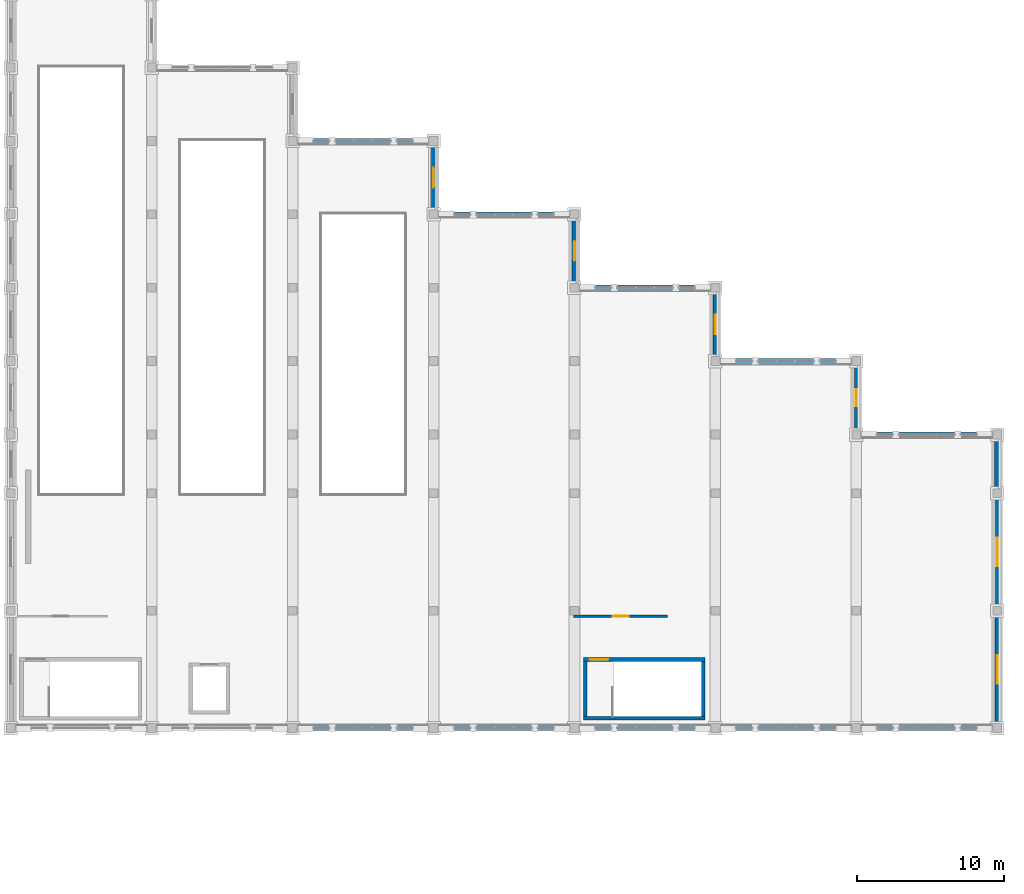
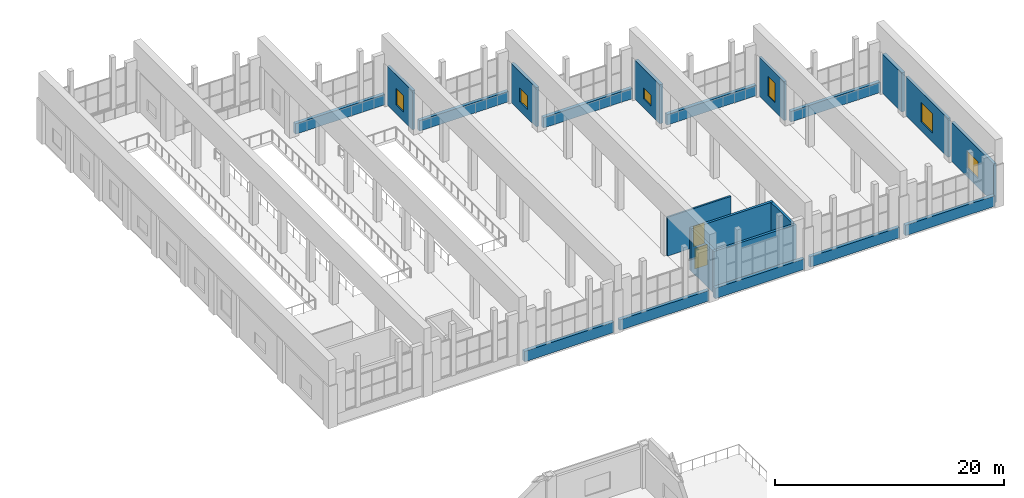
# One storey, part 34 of 46: 22 walls, 6 windows, 2 doors, 8 openings.
"""IFC4 building model written with IfcOpenShell, lengths in metres."""

from ifc_helpers import new_model, si_unit, direction, frame, frame_2d, origin, place, context, subcontext, project, spatial, rectangle, extrude, material, layer, layer_set, type_object, element, fill, save


model = new_model("IFC4")

# Units and contexts
model_context = context("Model", 3, precision=1e-05, world=origin(), true_north=direction((0.0, 1.0)))
body_context = subcontext(model_context, "Body", "Model", "MODEL_VIEW")
ifc_project = project(units=[si_unit("LENGTHUNIT", "METRE"), si_unit("AREAUNIT", "SQUARE_METRE"), si_unit("VOLUMEUNIT", "CUBIC_METRE"), si_unit("PLANEANGLEUNIT", "RADIAN"), si_unit("MASSUNIT", "GRAM", prefix="KILO")], contexts=[model_context])

# Site, building, storey
site_placement = place(None, origin())
site = spatial("IfcSite", under=ifc_project, at=site_placement, CompositionType="ELEMENT")
building_placement = place(site_placement, origin())
building = spatial("IfcBuilding", under=site, at=building_placement, Name="Mavantir Sound Aquarium", CompositionType="ELEMENT")
storey_placement = place(building_placement, frame((0.0, 0.0, 15.300048828125)))
storey = spatial("IfcBuildingStorey", under=building, at=storey_placement, Name="L03", CompositionType="ELEMENT", Elevation=15.300048828125)

# Wall, opening, window
ifc_material_1 = material(Name="Coral-Buff Architectural Precast Concrete C40/50", Category="concrete")
ifc_layer_1 = layer(ifc_material_1, 0.31005859375, Name="Coral-Buff Architectural Precast Concrete C40/50")
ifc_layer_set_1 = layer_set([ifc_layer_1], Name="Coral-Buff Architectural Precast Concrete C40/50")
wall_type_1 = type_object("IfcWallType", Name="EW-CORAL-310", PredefinedType="SOLIDWALL", material=ifc_layer_set_1)
wall_1_placement = place(storey_placement, frame((146.39990234375, 71.10791015625, 0.0), z_axis=(0.0, 0.0, 1.0), x_axis=(0.0, 1.0, 0.0)))
wall_1 = element("IfcWall", 1, at=wall_1_placement, inside=storey, type_object=wall_type_1, Name="L03 exterior facade wall EW-02 350", PredefinedType="SOLIDWALL", context=body_context, shape_type="SweptSolid", body=[
    extrude(rectangle(XDim=4.384033203125, YDim=0.31005859375, at=frame_2d((2.19189453125, 0.0))), origin(), (0.0, 0.0, 1.0), 4.159912109375),
])
opening_1_placement = place(wall_1_placement, frame((1.51708984375, 0.0, 0.949951171875)))
opening_1 = element("IfcOpeningElement", 2, at=opening_1_placement, cuts=wall_1, Name="Opening W-10", PredefinedType="OPENING", context=body_context, shape_type="SweptSolid", body=[
    extrude(rectangle(XDim=1.35009765625, YDim=1.5, at=frame_2d((0.675048828125, 0.75))), frame((0.0, 0.1650390625, 0.0), z_axis=(0.0, -1.0, 0.0), x_axis=(1.0, 0.0, 0.0)), (0.0, 0.0, 1.0), 0.330078125),
])
ifc_material_2 = material(Name="Thermally Broken Aluminium and Low-E Glass", Category="aluminium")
window_type_1 = type_object("IfcWindowType", Name="WIN-EXT-10", PartitioningType="SINGLE_PANEL", PredefinedType="WINDOW", material=ifc_material_2)
window_1_placement = place(opening_1_placement, origin())
window_1 = element("IfcWindow", 3, at=window_1_placement, inside=storey, type_object=window_type_1, Name="L03 facade window W-10 154", OverallHeight=1.5, OverallWidth=1.35009765625, PartitioningType="SINGLE_PANEL", PredefinedType="WINDOW", context=body_context, shape_type="SweptSolid", body=[
    extrude(rectangle(XDim=1.35009765625, YDim=1.5, at=frame_2d((0.675048828125, 0.75))), frame((0.0, 0.030029296875, 0.0), z_axis=(0.0, -1.0, 0.0), x_axis=(1.0, 0.0, 0.0)), (0.0, 0.0, 1.0), 0.06005859375),
])
fill(opening_1, window_1)

ifc_layer_2 = layer(ifc_material_1, 0.340087890625, Name="Coral-Buff Architectural Precast Concrete C40/50")
ifc_layer_set_2 = layer_set([ifc_layer_2], Name="Coral-Buff Architectural Precast Concrete C40/50")
wall_type_2 = type_object("IfcWallType", Name="EW-CORAL-340", PredefinedType="SOLIDWALL", material=ifc_layer_set_2)
wall_2_placement = place(storey_placement, frame((156.0, 66.10791015625, 0.0), z_axis=(0.0, 0.0, 1.0), x_axis=(0.0, 1.0, 0.0)))
wall_2 = element("IfcWall", 4, at=wall_2_placement, inside=storey, type_object=wall_type_2, Name="L03 exterior facade wall EW-01 349", PredefinedType="SOLIDWALL", context=body_context, shape_type="SweptSolid", body=[
    extrude(rectangle(XDim=4.384033203125, YDim=0.340087890625, at=frame_2d((2.19189453125, 0.0))), origin(), (0.0, 0.0, 1.0), 4.159912109375),
])
opening_2_placement = place(wall_2_placement, frame((1.51708984375, 0.0, 0.949951171875)))
opening_2 = element("IfcOpeningElement", 5, at=opening_2_placement, cuts=wall_2, Name="Opening W-09", PredefinedType="OPENING", context=body_context, shape_type="SweptSolid", body=[
    extrude(rectangle(XDim=1.35009765625, YDim=1.199951171875, at=frame_2d((0.675048828125, 0.60009765625))), frame((0.0, 0.18017578125, 0.0), z_axis=(0.0, -1.0, 0.0), x_axis=(1.0, 0.0, 0.0)), (0.0, 0.0, 1.0), 0.360107421875),
])
window_type_2 = type_object("IfcWindowType", Name="WIN-EXT-09", PartitioningType="SINGLE_PANEL", PredefinedType="WINDOW", material=ifc_material_2)
window_2_placement = place(opening_2_placement, origin())
window_2 = element("IfcWindow", 6, at=window_2_placement, inside=storey, type_object=window_type_2, Name="L03 facade window W-09 153", OverallHeight=1.199951171875, OverallWidth=1.35009765625, PartitioningType="SINGLE_PANEL", PredefinedType="WINDOW", context=body_context, shape_type="SweptSolid", body=[
    extrude(rectangle(XDim=1.35009765625, YDim=1.199951171875, at=frame_2d((0.675048828125, 0.60009765625))), frame((0.0, 0.030029296875, 0.0), z_axis=(0.0, -1.0, 0.0), x_axis=(1.0, 0.0, 0.0)), (0.0, 0.0, 1.0), 0.06005859375),
])
fill(opening_2, window_2)

# Walls
for number, where, z_axis, x_axis, name in (
    (7, (127.5, 40.800048828125, 0.0), (0.0, 0.0, 1.0), (1.0, 0.0, 0.0), "Scalloped bay 3 S gallery dado wall"),
    (8, (127.5, 80.800048828125, 0.0), (0.0, 0.0, 1.0), (1.0, 0.0, 0.0), "Scalloped bay 3 N gallery dado wall"),
    (9, (137.10009765625, 40.800048828125, 0.0), (0.0, 0.0, 1.0), (1.0, 0.0, 0.0), "Scalloped bay 4 S gallery dado wall"),
    (10, (137.10009765625, 75.800048828125, 0.0), (0.0, 0.0, 1.0), (1.0, 0.0, 0.0), "Scalloped bay 4 N gallery dado wall"),
    (11, (146.699951171875, 40.800048828125, 0.0), (0.0, 0.0, 1.0), (1.0, 0.0, 0.0), "Scalloped bay 5 S gallery dado wall"),
    (12, (146.699951171875, 70.800048828125, 0.0), (0.0, 0.0, 1.0), (1.0, 0.0, 0.0), "Scalloped bay 5 N gallery dado wall"),
    (13, (156.300048828125, 40.800048828125, 0.0), (0.0, 0.0, 1.0), (1.0, 0.0, 0.0), "Scalloped bay 6 S gallery dado wall"),
    (14, (156.300048828125, 65.800048828125, 0.0), (0.0, 0.0, 1.0), (1.0, 0.0, 0.0), "Scalloped bay 6 N gallery dado wall"),
    (15, (165.89990234375, 40.800048828125, 0.0), (0.0, 0.0, 1.0), (1.0, 0.0, 0.0), "Scalloped bay 7 S gallery dado wall"),
    (16, (165.89990234375, 60.800048828125, 0.0), (0.0, 0.0, 1.0), (1.0, 0.0, 0.0), "Scalloped bay 7 N gallery dado wall"),
):
    element("IfcWall", number, at=place(storey_placement, frame(where, z_axis=z_axis, x_axis=x_axis)), inside=storey, type_object=wall_type_2, Name=name, PredefinedType="SOLIDWALL", context=body_context, shape_type="SweptSolid", body=[
        extrude(rectangle(XDim=9.0, YDim=0.340087890625, at=frame_2d((4.5, 0.0))), origin(), (0.0, 0.0, 1.0), 1.119873046875),
    ])

# Wall, opening, window
ifc_material_3 = material(Name="Architectural Precast Concrete C40/50", Category="concrete")
ifc_layer_3 = layer(ifc_material_3, 0.239990234375, Name="Architectural Precast Concrete C40/50")
ifc_layer_set_3 = layer_set([ifc_layer_3], Name="Architectural Precast Concrete C40/50")
wall_type_3 = type_object("IfcWallType", Name="EW-PRE-240", PredefinedType="SOLIDWALL", material=ifc_layer_set_3)
wall_3_placement = place(storey_placement, frame((165.60009765625, 61.10791015625, 0.0), z_axis=(0.0, 0.0, 1.0), x_axis=(0.0, 1.0, 0.0)))
wall_3 = element("IfcWall", 17, at=wall_3_placement, inside=storey, type_object=wall_type_3, Name="L03 exterior facade wall EW-06 348", PredefinedType="SOLIDWALL", context=body_context, shape_type="SweptSolid", body=[
    extrude(rectangle(XDim=4.384033203125, YDim=0.239990234375, at=frame_2d((2.19189453125, 0.0))), origin(), (0.0, 0.0, 1.0), 4.159912109375),
])
opening_3_placement = place(wall_3_placement, frame((1.616943359375, 0.0, 0.949951171875)))
opening_3 = element("IfcOpeningElement", 18, at=opening_3_placement, cuts=wall_3, Name="Opening W-08", PredefinedType="OPENING", context=body_context, shape_type="SweptSolid", body=[
    extrude(rectangle(XDim=1.14990234375, YDim=2.10009765625, at=frame_2d((0.574951171875, 1.050048828125))), frame((0.0, 0.1298828125, 0.0), z_axis=(0.0, -1.0, 0.0), x_axis=(1.0, 0.0, 0.0)), (0.0, 0.0, 1.0), 0.260009765625),
])
window_type_3 = type_object("IfcWindowType", Name="WIN-EXT-08", PartitioningType="SINGLE_PANEL", PredefinedType="WINDOW", material=ifc_material_2)
window_3_placement = place(opening_3_placement, origin())
window_3 = element("IfcWindow", 19, at=window_3_placement, inside=storey, type_object=window_type_3, Name="L03 facade window W-08 152", OverallHeight=2.10009765625, OverallWidth=1.14990234375, PartitioningType="SINGLE_PANEL", PredefinedType="WINDOW", context=body_context, shape_type="SweptSolid", body=[
    extrude(rectangle(XDim=1.14990234375, YDim=2.10009765625, at=frame_2d((0.574951171875, 1.050048828125))), frame((0.0, 0.030029296875, 0.0), z_axis=(0.0, -1.0, 0.0), x_axis=(1.0, 0.0, 0.0)), (0.0, 0.0, 1.0), 0.06005859375),
])
fill(opening_3, window_3)

# Wall
ifc_layer_4 = layer(ifc_material_1, 0.360107421875, Name="Coral-Buff Architectural Precast Concrete C40/50")
ifc_layer_set_4 = layer_set([ifc_layer_4], Name="Coral-Buff Architectural Precast Concrete C40/50")
wall_type_4 = type_object("IfcWallType", Name="EW-PRE-360", PredefinedType="SOLIDWALL", material=ifc_layer_set_4)
wall_4_placement = place(storey_placement, frame((175.199951171875, 57.10791015625, 0.0), z_axis=(0.0, 0.0, 1.0), x_axis=(0.0, 1.0, 0.0)))
element("IfcWall", 20, at=wall_4_placement, inside=storey, type_object=wall_type_4, Name="L03 exterior facade wall EW-05 365", PredefinedType="SOLIDWALL", context=body_context, shape_type="SweptSolid", body=[
    extrude(rectangle(XDim=3.384033203125, YDim=0.360107421875, at=frame_2d((1.69189453125, 0.0))), origin(), (0.0, 0.0, 1.0), 4.159912109375),
])

# Wall, opening, window
ifc_material_4 = material(Name="Cerulean Glazed Terracotta Rainscreen on Concrete C40/50", Category="masonry")
ifc_layer_5 = layer(ifc_material_4, 0.27001953125, Name="Cerulean Glazed Terracotta Rainscreen on Concrete C40/50")
ifc_layer_set_5 = layer_set([ifc_layer_5], Name="Cerulean Glazed Terracotta Rainscreen on Concrete C40/50")
wall_type_5 = type_object("IfcWallType", Name="EW-TERRA-270", PredefinedType="SOLIDWALL", material=ifc_layer_set_5)
wall_5_placement = place(storey_placement, frame((175.199951171875, 49.10791015625, 0.0), z_axis=(0.0, 0.0, 1.0), x_axis=(0.0, 1.0, 0.0)))
wall_5 = element("IfcWall", 21, at=wall_5_placement, inside=storey, type_object=wall_type_5, Name="L03 exterior facade wall EW-04 364", PredefinedType="SOLIDWALL", context=body_context, shape_type="SweptSolid", body=[
    extrude(rectangle(XDim=7.384033203125, YDim=0.27001953125, at=frame_2d((3.69189453125, 0.0))), origin(), (0.0, 0.0, 1.0), 4.159912109375),
])
opening_4_placement = place(wall_5_placement, frame((2.717041015625, 0.0, 0.949951171875)))
opening_4 = element("IfcOpeningElement", 22, at=opening_4_placement, cuts=wall_5, Name="Opening W-24", PredefinedType="OPENING", context=body_context, shape_type="SweptSolid", body=[
    extrude(rectangle(XDim=1.949951171875, YDim=2.10009765625, at=frame_2d((0.97509765625, 1.050048828125))), frame((0.0, 0.14501953125, 0.0), z_axis=(0.0, -1.0, 0.0), x_axis=(1.0, 0.0, 0.0)), (0.0, 0.0, 1.0), 0.2900390625),
])
window_type_4 = type_object("IfcWindowType", Name="WIN-EXT-24", PartitioningType="DOUBLE_PANEL_VERTICAL", PredefinedType="WINDOW", material=ifc_material_2)
window_4_placement = place(opening_4_placement, origin())
window_4 = element("IfcWindow", 23, at=window_4_placement, inside=storey, type_object=window_type_4, Name="L03 facade window W-24 168", OverallHeight=2.10009765625, OverallWidth=1.949951171875, PartitioningType="SINGLE_PANEL", PredefinedType="WINDOW", context=body_context, shape_type="SweptSolid", body=[
    extrude(rectangle(XDim=1.949951171875, YDim=2.10009765625, at=frame_2d((0.97509765625, 1.050048828125))), frame((0.0, 0.030029296875, 0.0), z_axis=(0.0, -1.0, 0.0), x_axis=(1.0, 0.0, 0.0)), (0.0, 0.0, 1.0), 0.06005859375),
])
fill(opening_4, window_4)

ifc_material_5 = material(Name="Turquoise Glazed Terracotta Rainscreen on Concrete C40/50", Category="masonry")
ifc_layer_6 = layer(ifc_material_5, 0.2900390625, Name="Turquoise Glazed Terracotta Rainscreen on Concrete C40/50")
ifc_layer_set_6 = layer_set([ifc_layer_6], Name="Turquoise Glazed Terracotta Rainscreen on Concrete C40/50")
wall_type_6 = type_object("IfcWallType", Name="EW-TERRA-290", PredefinedType="SOLIDWALL", material=ifc_layer_set_6)
wall_6_placement = place(storey_placement, frame((136.800048828125, 76.10791015625, 0.0), z_axis=(0.0, 0.0, 1.0), x_axis=(0.0, 1.0, 0.0)))
wall_6 = element("IfcWall", 24, at=wall_6_placement, inside=storey, type_object=wall_type_6, Name="L03 exterior facade wall EW-03 351", PredefinedType="SOLIDWALL", context=body_context, shape_type="SweptSolid", body=[
    extrude(rectangle(XDim=4.384033203125, YDim=0.2900390625, at=frame_2d((2.19189453125, 0.0))), origin(), (0.0, 0.0, 1.0), 4.159912109375),
])
opening_5_placement = place(wall_6_placement, frame((1.51708984375, 0.0, 0.949951171875)))
opening_5 = element("IfcOpeningElement", 25, at=opening_5_placement, cuts=wall_6, Name="Opening W-11", PredefinedType="OPENING", context=body_context, shape_type="SweptSolid", body=[
    extrude(rectangle(XDim=1.35009765625, YDim=1.800048828125, at=frame_2d((0.675048828125, 0.89990234375))), frame((0.0, 0.155029296875, 0.0), z_axis=(0.0, -1.0, 0.0), x_axis=(1.0, 0.0, 0.0)), (0.0, 0.0, 1.0), 0.31005859375),
])
window_type_5 = type_object("IfcWindowType", Name="WIN-EXT-11", PartitioningType="SINGLE_PANEL", PredefinedType="WINDOW", material=ifc_material_2)
window_5_placement = place(opening_5_placement, origin())
window_5 = element("IfcWindow", 26, at=window_5_placement, inside=storey, type_object=window_type_5, Name="L03 facade window W-11 155", OverallHeight=1.800048828125, OverallWidth=1.35009765625, PartitioningType="SINGLE_PANEL", PredefinedType="WINDOW", context=body_context, shape_type="SweptSolid", body=[
    extrude(rectangle(XDim=1.35009765625, YDim=1.800048828125, at=frame_2d((0.675048828125, 0.89990234375))), frame((0.0, 0.030029296875, 0.0), z_axis=(0.0, -1.0, 0.0), x_axis=(1.0, 0.0, 0.0)), (0.0, 0.0, 1.0), 0.06005859375),
])
fill(opening_5, window_5)

wall_7_placement = place(storey_placement, frame((175.199951171875, 41.10791015625, 0.0), z_axis=(0.0, 0.0, 1.0), x_axis=(0.0, 1.0, 0.0)))
wall_7 = element("IfcWall", 27, at=wall_7_placement, inside=storey, type_object=wall_type_6, Name="L03 exterior facade wall EW-03 363", PredefinedType="SOLIDWALL", context=body_context, shape_type="SweptSolid", body=[
    extrude(rectangle(XDim=7.384033203125, YDim=0.2900390625, at=frame_2d((3.69189453125, 0.0))), origin(), (0.0, 0.0, 1.0), 4.159912109375),
])
opening_6_placement = place(wall_7_placement, frame((2.717041015625, 0.0, 0.949951171875)))
opening_6 = element("IfcOpeningElement", 28, at=opening_6_placement, cuts=wall_7, Name="Opening W-23", PredefinedType="OPENING", context=body_context, shape_type="SweptSolid", body=[
    extrude(rectangle(XDim=1.949951171875, YDim=1.800048828125, at=frame_2d((0.97509765625, 0.89990234375))), frame((0.0, 0.155029296875, 0.0), z_axis=(0.0, -1.0, 0.0), x_axis=(1.0, 0.0, 0.0)), (0.0, 0.0, 1.0), 0.31005859375),
])
window_type_6 = type_object("IfcWindowType", Name="WIN-EXT-23", PartitioningType="DOUBLE_PANEL_VERTICAL", PredefinedType="WINDOW", material=ifc_material_2)
window_6_placement = place(opening_6_placement, origin())
window_6 = element("IfcWindow", 29, at=window_6_placement, inside=storey, type_object=window_type_6, Name="L03 facade window W-23 167", OverallHeight=1.800048828125, OverallWidth=1.949951171875, PartitioningType="SINGLE_PANEL", PredefinedType="WINDOW", context=body_context, shape_type="SweptSolid", body=[
    extrude(rectangle(XDim=1.949951171875, YDim=1.800048828125, at=frame_2d((0.97509765625, 0.89990234375))), frame((0.0, 0.030029296875, 0.0), z_axis=(0.0, -1.0, 0.0), x_axis=(1.0, 0.0, 0.0)), (0.0, 0.0, 1.0), 0.06005859375),
])
fill(opening_6, window_6)

# Wall, opening, door
ifc_material_6 = material(Name="Acoustic Metal-Stud Gypsum Partition", Category="gypsum")
ifc_layer_7 = layer(ifc_material_6, 0.179931640625, Name="Acoustic Metal-Stud Gypsum Partition")
ifc_layer_set_7 = layer_set([ifc_layer_7], Name="Acoustic Metal-Stud Gypsum Partition")
wall_type_7 = type_object("IfcWallType", Name="IW-PART-180", PredefinedType="PARTITIONING", material=ifc_layer_set_7)
wall_8_placement = place(storey_placement, frame((146.35009765625, 48.425048828125, 0.0), z_axis=(0.0, 0.0, 1.0), x_axis=(1.0, 0.0, 0.0)))
wall_8 = element("IfcWall", 30, at=wall_8_placement, inside=storey, type_object=wall_type_7, Name="L03 Caribbean Pelagic Reef Lunette Scalloped Gallery entry partition", PredefinedType="PARTITIONING", context=body_context, shape_type="SweptSolid", body=[
    extrude(rectangle(XDim=6.39990234375, YDim=0.179931640625, at=frame_2d((3.199951171875, 0.0))), origin(), (0.0, 0.0, 1.0), 4.139892578125),
])
opening_7_placement = place(wall_8_placement, frame((2.64990234375, 0.0, 0.0)))
opening_7 = element("IfcOpeningElement", 31, at=opening_7_placement, cuts=wall_8, Name="Opening ID-06", PredefinedType="OPENING", context=body_context, shape_type="SweptSolid", body=[
    extrude(rectangle(XDim=1.10009765625, YDim=2.199951171875, at=frame_2d((0.550048828125, 1.10009765625))), frame((0.0, 0.10009765625, 0.0), z_axis=(0.0, -1.0, 0.0), x_axis=(1.0, 0.0, 0.0)), (0.0, 0.0, 1.0), 0.199951171875),
])
ifc_material_7 = material(Name="Solid-Core Marine Hardwood and Vision-Panel Door", Category="wood")
door_type_1 = type_object("IfcDoorType", Name="DR-INT-06", OperationType="NOTDEFINED", PredefinedType="DOOR", material=ifc_material_7)
door_1_placement = place(opening_7_placement, origin())
door_1 = element("IfcDoor", 32, at=door_1_placement, inside=storey, type_object=door_type_1, Name="Caribbean Pelagic Reef Lunette Scalloped Gallery door", OperationType="SINGLE_SWING_RIGHT", OverallHeight=2.199951171875, OverallWidth=1.10009765625, PredefinedType="DOOR", context=body_context, shape_type="SweptSolid", body=[
    extrude(rectangle(XDim=1.10009765625, YDim=2.199951171875, at=frame_2d((0.550048828125, 1.10009765625))), frame((0.0, 0.02490234375, 0.0), z_axis=(0.0, -1.0, 0.0), x_axis=(1.0, 0.0, 0.0)), (0.0, 0.0, 1.0), 0.050048828125),
])
fill(opening_7, door_1)

# Wall
ifc_material_8 = material(Name="Concrete C40/50", Category="concrete")
ifc_layer_8 = layer(ifc_material_8, 0.25, Name="Concrete C40/50")
ifc_layer_set_8 = layer_set([ifc_layer_8], Name="Concrete C40/50")
wall_type_8 = type_object("IfcWallType", Name="IW-SHAFT-250", PredefinedType="SHEAR", material=ifc_layer_set_8)
wall_9_placement = place(storey_placement, frame((147.0, 41.47509765625, 0.0), z_axis=(0.0, 0.0, 1.0), x_axis=(1.0, 0.0, 0.0)))
element("IfcWall", 33, at=wall_9_placement, inside=storey, type_object=wall_type_8, Name="L03 stair ST12 shaft wall S", PredefinedType="SHEAR", context=body_context, shape_type="SweptSolid", body=[
    extrude(rectangle(XDim=8.300048828125, YDim=0.25, at=frame_2d((4.14990234375, 0.0))), origin(), (0.0, 0.0, 1.0), 4.5),
])

# Wall, opening, door
wall_10_placement = place(storey_placement, frame((155.300048828125, 45.47509765625, 0.0), z_axis=(0.0, 0.0, 1.0), x_axis=(-1.0, 0.0, 0.0)))
wall_10 = element("IfcWall", 34, at=wall_10_placement, inside=storey, type_object=wall_type_8, Name="L03 stair ST12 shaft wall N", PredefinedType="SHEAR", context=body_context, shape_type="SweptSolid", body=[
    extrude(rectangle(XDim=8.300048828125, YDim=0.25, at=frame_2d((4.14990234375, 0.0))), origin(), (0.0, 0.0, 1.0), 4.5),
])
opening_8_placement = place(wall_10_placement, frame((7.85009765625, 0.0, 0.0), z_axis=(0.0, 0.0, 1.0), x_axis=(-1.0, 0.0, 0.0)))
opening_8 = element("IfcOpeningElement", 35, at=opening_8_placement, cuts=wall_10, Name="Opening SD-01", PredefinedType="OPENING", context=body_context, shape_type="SweptSolid", body=[
    extrude(rectangle(XDim=1.25, YDim=2.199951171875, at=frame_2d((0.625, 1.10009765625))), frame((0.0, 0.135009765625, 0.0), z_axis=(0.0, -1.0, 0.0), x_axis=(1.0, 0.0, 0.0)), (0.0, 0.0, 1.0), 0.27001953125),
])
ifc_material_9 = material(Name="Fire-Rated Steel Acoustic Door Leaf", Category="steel")
door_type_2 = type_object("IfcDoorType", Name="DR-ST-125", OperationType="NOTDEFINED", PredefinedType="DOOR", material=ifc_material_9)
door_2_placement = place(opening_8_placement, origin())
door_2 = element("IfcDoor", 36, at=door_2_placement, inside=storey, type_object=door_type_2, Name="L03 protected exit stair ST12 door", OperationType="SINGLE_SWING_RIGHT", OverallHeight=2.199951171875, OverallWidth=1.25, PredefinedType="DOOR", context=body_context, shape_type="SweptSolid", body=[
    extrude(rectangle(XDim=1.25, YDim=2.199951171875, at=frame_2d((0.625, 1.10009765625))), frame((0.0, 0.02490234375, 0.0), z_axis=(0.0, -1.0, 0.0), x_axis=(1.0, 0.0, 0.0)), (0.0, 0.0, 1.0), 0.050048828125),
])
fill(opening_8, door_2)

# Walls
for number, where, z_axis, x_axis, name in (
    (37, (147.125, 45.35009765625, 0.0), (0.0, 0.0, 1.0), (0.0, -1.0, 0.0), "L03 stair ST12 shaft wall W"),
    (38, (155.175048828125, 41.60009765625, 0.0), (0.0, 0.0, 1.0), (0.0, 1.0, 0.0), "L03 stair ST12 shaft wall E"),
):
    element("IfcWall", number, at=place(storey_placement, frame(where, z_axis=z_axis, x_axis=x_axis)), inside=storey, type_object=wall_type_8, Name=name, PredefinedType="SHEAR", context=body_context, shape_type="SweptSolid", body=[
        extrude(rectangle(XDim=3.75, YDim=0.25, at=frame_2d((1.875, 0.0))), origin(), (0.0, 0.0, 1.0), 4.5),
    ])

save(model, "model.ifc")
